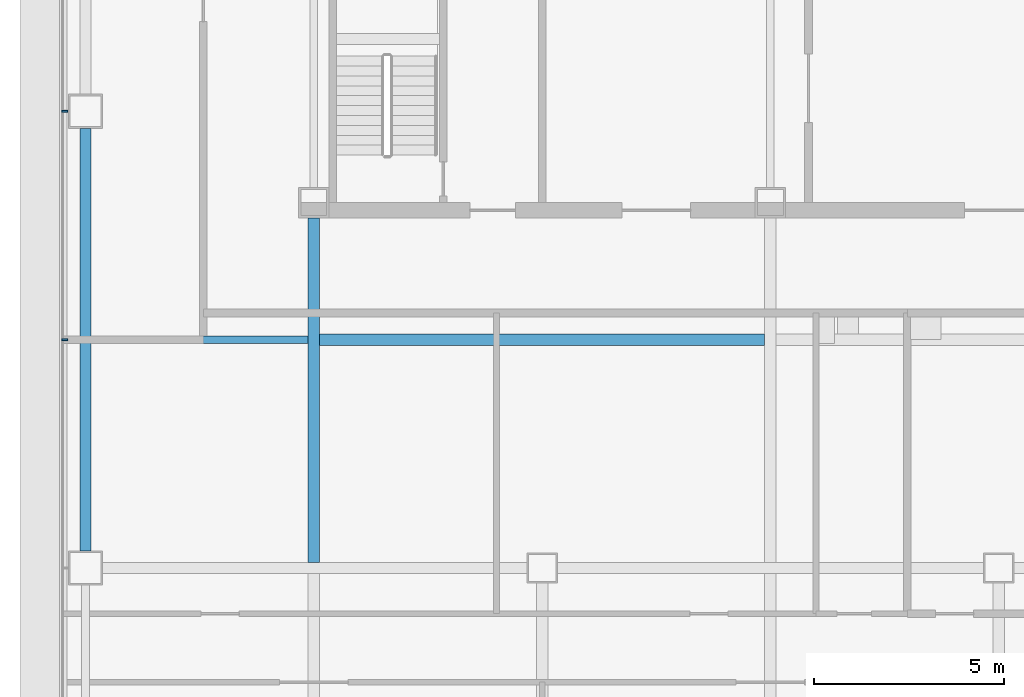
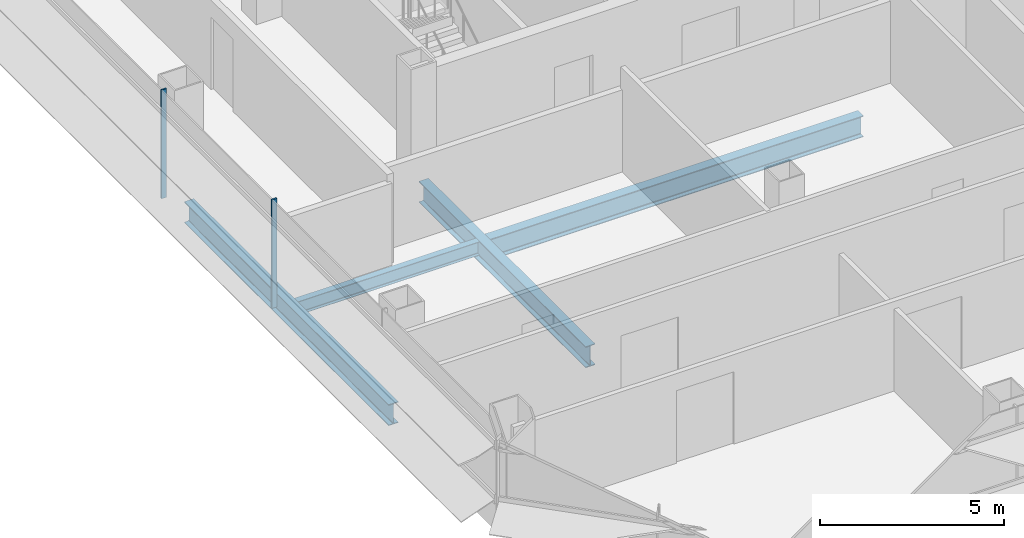
# One storey, part 4 of 26: 4 beams, 2 members, 1 element without a shape of its own.
"""IFC4 building model written with IfcOpenShell, lengths in metres."""

from ifc_helpers import new_model, si_unit, direction, frame, origin, origin_2d, place, context, subcontext, project, spatial, rectangle, i_section, extrude, material, material_profile, profile_set, type_object, element, aggregate, save


model = new_model("IFC4")

# Units and contexts
model_context = context("Model", 3, precision=1e-05, world=origin(), true_north=direction((0.0, 1.0)))
body_context = subcontext(model_context, "Body", "Model", "MODEL_VIEW")
ifc_project = project(units=[si_unit("LENGTHUNIT", "METRE"), si_unit("AREAUNIT", "SQUARE_METRE"), si_unit("VOLUMEUNIT", "CUBIC_METRE"), si_unit("PLANEANGLEUNIT", "RADIAN"), si_unit("MASSUNIT", "GRAM", prefix="KILO")], contexts=[model_context])

# Site, building, storey
site_placement = place(None, origin())
site = spatial("IfcSite", under=ifc_project, at=site_placement, CompositionType="ELEMENT")
building_placement = place(site_placement, origin())
building = spatial("IfcBuilding", under=site, at=building_placement, Name="Sorahane Residences", CompositionType="ELEMENT")
storey_placement = place(building_placement, frame((0.0, 0.0, 67.800048828125)))
storey = spatial("IfcBuildingStorey", under=building, at=storey_placement, Name="L13", CompositionType="ELEMENT", Elevation=67.800048828125)

# Curtain wall, members
ifc_material_1 = material(Name="Dark low-e glass and black anodised aluminium", Category="aluminium")
curtain_wall_type = type_object("IfcCurtainWallType", Name="Curtain wall CW-1 Typical unitised wall", PredefinedType="NOTDEFINED", material=ifc_material_1)
curtain_wall_placement = place(storey_placement, origin())
curtain_wall = element("IfcCurtainWall", 1, at=curtain_wall_placement, inside=storey, type_object=curtain_wall_type, Name="CW-1 curtain wall L13 W1", PredefinedType="NOTDEFINED")
ifc_material_2 = material(Name="Black anodised aluminium", Category="aluminium")
ifc_material_profile_1 = material_profile(ifc_material_2, rectangle(XDim=0.159912109375, YDim=0.050048828125, at=origin_2d()), Name="Curtain wall mullion CW-1 black anodised aluminium 50x160")
ifc_profile_set_1 = profile_set([ifc_material_profile_1], Name="Black anodised aluminium")
member_type = type_object("IfcMemberType", Name="Curtain wall mullion CW-1 black anodised aluminium 50x160", PredefinedType="MULLION", material=ifc_profile_set_1)
member_1_placement = place(storey_placement, frame((-0.5400390625, 24.0, -0.179931640625), z_axis=(0.0, 0.0, 1.0), x_axis=(-1.0, 0.0, 0.0)))
member_1 = element("IfcMember", 2, at=member_1_placement, type_object=member_type, Name="CW-1 mullion L13 W1.4", PredefinedType="MULLION", context=body_context, shape_type="SweptSolid", body=[
    extrude(rectangle(XDim=0.159912109375, YDim=0.050048828125, at=origin_2d()), origin(), (0.0, 0.0, 1.0), 3.599853515625),
])
member_2_placement = place(storey_placement, frame((-0.5400390625, 18.0, -0.179931640625), z_axis=(0.0, 0.0, 1.0), x_axis=(-1.0, 0.0, 0.0)))
member_2 = element("IfcMember", 3, at=member_2_placement, type_object=member_type, Name="CW-1 mullion L13 W1.5", PredefinedType="MULLION", context=body_context, shape_type="SweptSolid", body=[
    extrude(rectangle(XDim=0.159912109375, YDim=0.050048828125, at=origin_2d()), origin(), (0.0, 0.0, 1.0), 3.599853515625),
])
aggregate(curtain_wall, [member_1, member_2])

# Beams
ifc_material_3 = material(Name="Steel Q355B", Category="steel")
ifc_material_profile_2 = material_profile(ifc_material_3, i_section(OverallWidth=0.199951171875, OverallDepth=0.449951171875, WebThickness=0.009033203125, FlangeThickness=0.013916015625, FilletRadius=0.02001953125, at=origin_2d()), Name="HN 450x200x9x14")
ifc_profile_set_2 = profile_set([ifc_material_profile_2], Name="Steel Q355B")
beam_type_1 = type_object("IfcBeamType", Name="Steel floor beam HN 450x200x9x14 Q355B", PredefinedType="BEAM", material=ifc_profile_set_2)
beam_1_placement = place(storey_placement, frame((0.14990234375, 18.0, -0.405029296875), z_axis=(1.0, 0.0, 0.0), x_axis=(0.0, 1.0, 0.0)))
element("IfcBeam", 4, at=beam_1_placement, inside=storey, type_object=beam_type_1, Name="Beam L13 070", PredefinedType="BEAM", context=body_context, shape_type="SweptSolid", body=[
    extrude(i_section(OverallWidth=0.199951171875, OverallDepth=0.449951171875, WebThickness=0.009033203125, FlangeThickness=0.013916015625, FilletRadius=0.02001953125, at=origin_2d()), origin(), (0.0, 0.0, 1.0), 5.7001953125),
])
ifc_material_4 = material(Name="Steel Q355B", Category="steel")
ifc_material_profile_3 = material_profile(ifc_material_4, i_section(OverallWidth=0.300048828125, OverallDepth=0.699951171875, WebThickness=0.012939453125, FlangeThickness=0.02392578125, FilletRadius=0.028076171875, at=origin_2d()), Name="HN 700x300x13x24")
ifc_profile_set_3 = profile_set([ifc_material_profile_3], Name="Steel Q355B")
beam_type_2 = type_object("IfcBeamType", Name="Steel floor beam HN 700x300x13x24 Q355B", PredefinedType="BEAM", material=ifc_profile_set_3)
beam_2_placement = place(storey_placement, frame((0.0, 12.449951171875, -0.530029296875), z_axis=(0.0, 1.0, 0.0), x_axis=(-1.0, 0.0, 0.0)))
element("IfcBeam", 5, at=beam_2_placement, inside=storey, type_object=beam_type_2, Name="Beam L13 018", PredefinedType="BEAM", context=body_context, shape_type="SweptSolid", body=[
    extrude(i_section(OverallWidth=0.300048828125, OverallDepth=0.699951171875, WebThickness=0.012939453125, FlangeThickness=0.02392578125, FilletRadius=0.028076171875, at=origin_2d()), origin(), (0.0, 0.0, 1.0), 11.10009765625),
])
beam_3_placement = place(storey_placement, frame((6.0, 12.14990234375, -0.530029296875), z_axis=(0.0, 1.0, 0.0), x_axis=(-1.0, 0.0, 0.0)))
element("IfcBeam", 6, at=beam_3_placement, inside=storey, type_object=beam_type_2, Name="Beam L13 022", PredefinedType="BEAM", context=body_context, shape_type="SweptSolid", body=[
    extrude(i_section(OverallWidth=0.300048828125, OverallDepth=0.699951171875, WebThickness=0.012939453125, FlangeThickness=0.02392578125, FilletRadius=0.028076171875, at=origin_2d()), origin(), (0.0, 0.0, 1.0), 9.050048828125),
])
beam_4_placement = place(storey_placement, frame((6.14990234375, 18.0, -0.530029296875), z_axis=(1.0, 0.0, 0.0), x_axis=(0.0, 1.0, 0.0)))
element("IfcBeam", 7, at=beam_4_placement, inside=storey, type_object=beam_type_2, Name="Beam L13 071", PredefinedType="BEAM", context=body_context, shape_type="SweptSolid", body=[
    extrude(i_section(OverallWidth=0.300048828125, OverallDepth=0.699951171875, WebThickness=0.012939453125, FlangeThickness=0.02392578125, FilletRadius=0.028076171875, at=origin_2d()), origin(), (0.0, 0.0, 1.0), 11.7001953125),
])

save(model, "model.ifc")
